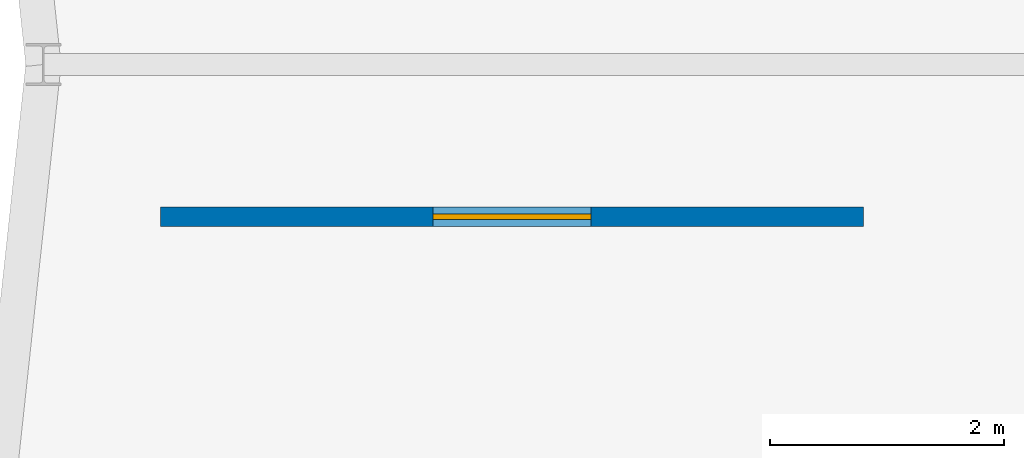
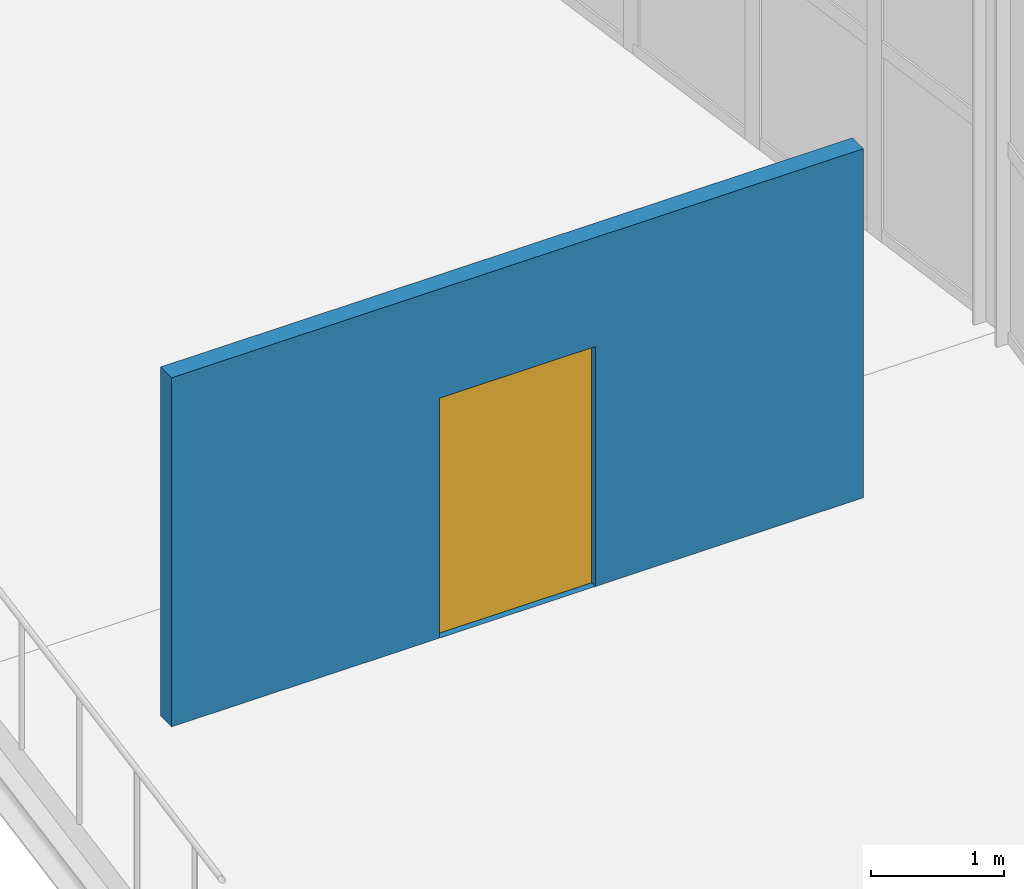
# One storey, part 143 of 161: 1 door, 1 wall, 1 opening.
"""IFC4 building model written with IfcOpenShell, lengths in metres."""

from ifc_helpers import new_model, si_unit, direction, frame, frame_2d, origin, place, context, subcontext, project, spatial, rectangle, extrude, material, layer, layer_set, type_object, element, fill, save


model = new_model("IFC4")

# Units and contexts
model_context = context("Model", 3, precision=1e-05, world=origin(), true_north=direction((0.0, 1.0)))
body_context = subcontext(model_context, "Body", "Model", "MODEL_VIEW")
ifc_project = project(units=[si_unit("LENGTHUNIT", "METRE"), si_unit("AREAUNIT", "SQUARE_METRE"), si_unit("VOLUMEUNIT", "CUBIC_METRE"), si_unit("PLANEANGLEUNIT", "RADIAN"), si_unit("MASSUNIT", "GRAM", prefix="KILO")], contexts=[model_context])

# Site, building, storey
site_placement = place(None, origin())
site = spatial("IfcSite", under=ifc_project, at=site_placement, CompositionType="ELEMENT")
building_placement = place(site_placement, origin())
building = spatial("IfcBuilding", under=site, at=building_placement, Name="Kildeholm Park Wholesale Market", CompositionType="ELEMENT")
storey_placement = place(building_placement, frame((0.0, 0.0, 5.39990234375)))
storey = spatial("IfcBuildingStorey", under=building, at=storey_placement, Name="L01", CompositionType="ELEMENT", Elevation=5.39990234375)

# Wall, opening, door
ifc_material_1 = material(Name="Hygienic ceramic-tiled wet fish stall partition")
ifc_layer = layer(ifc_material_1, 0.1650390625)
ifc_layer_set = layer_set([ifc_layer], Name="Hygienic ceramic-tiled wet fish stall partition")
wall_type = type_object("IfcWallType", Name="Partition W-PT05 165 mm", PredefinedType="PARTITIONING", material=ifc_layer_set)
wall_placement = place(storey_placement, frame((202.5, 93.199951171875, 0.0), z_axis=(0.0, 0.0, 1.0), x_axis=(1.0, 0.0, 0.0)))
wall = element("IfcWall", 1, at=wall_placement, inside=storey, type_object=wall_type, Name="Interior partition W-V2-L01-E WL-0963", PredefinedType="PARTITIONING", context=body_context, shape_type="SweptSolid", body=[
    extrude(rectangle(XDim=6.0, YDim=0.1650390625, at=frame_2d((3.0, 0.0))), origin(), (0.0, 0.0, 1.0), 3.2001953125),
])
opening_placement = place(wall_placement, frame((2.324951171875, 0.0, 0.0)))
opening = element("IfcOpeningElement", 2, at=opening_placement, cuts=wall, Name="Opening D-IN07", PredefinedType="OPENING", context=body_context, shape_type="SweptSolid", body=[
    extrude(rectangle(XDim=1.35009765625, YDim=2.199951171875, at=frame_2d((0.675048828125, 1.10009765625))), frame((0.0, 0.092529296875, 0.0), z_axis=(0.0, -1.0, 0.0), x_axis=(1.0, 0.0, 0.0)), (0.0, 0.0, 1.0), 0.18505859375),
])
ifc_material_2 = material(Name="Wholesale stall service doorset")
door_type = type_object("IfcDoorType", Name="Interior door D-IN07 1350x2200", OperationType="NOTDEFINED", PredefinedType="DOOR", material=ifc_material_2)
door_placement = place(opening_placement, origin())
door = element("IfcDoor", 3, at=door_placement, inside=storey, type_object=door_type, Name="Interior door V2-L01-E DR-0238 WL-0963", OperationType="SINGLE_SWING_RIGHT", OverallHeight=2.199951171875, OverallWidth=1.35009765625, PredefinedType="DOOR", context=body_context, shape_type="SweptSolid", body=[
    extrude(rectangle(XDim=1.35009765625, YDim=2.199951171875, at=frame_2d((0.675048828125, 1.10009765625))), frame((0.0, 0.02490234375, 0.0), z_axis=(0.0, -1.0, 0.0), x_axis=(1.0, 0.0, 0.0)), (0.0, 0.0, 1.0), 0.050048828125),
])
fill(opening, door)

save(model, "model.ifc")
